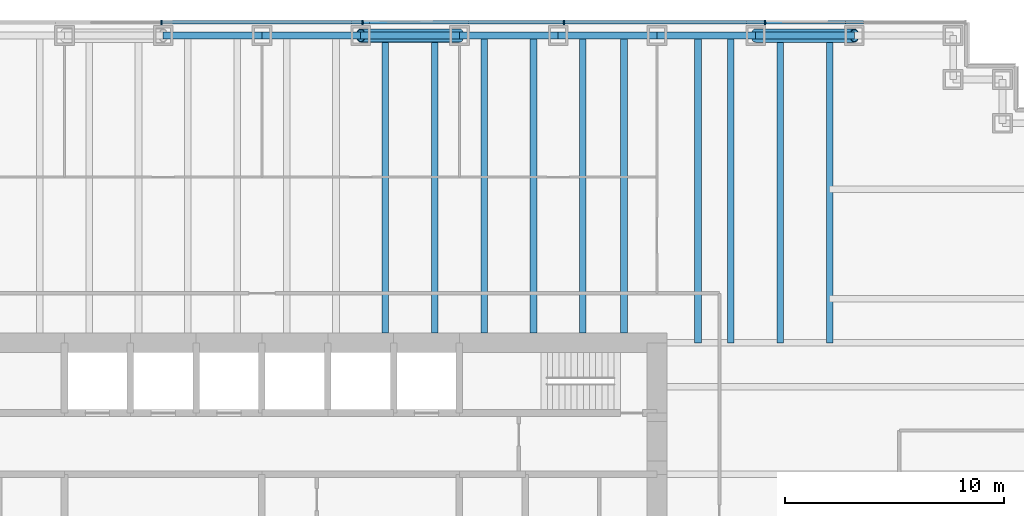
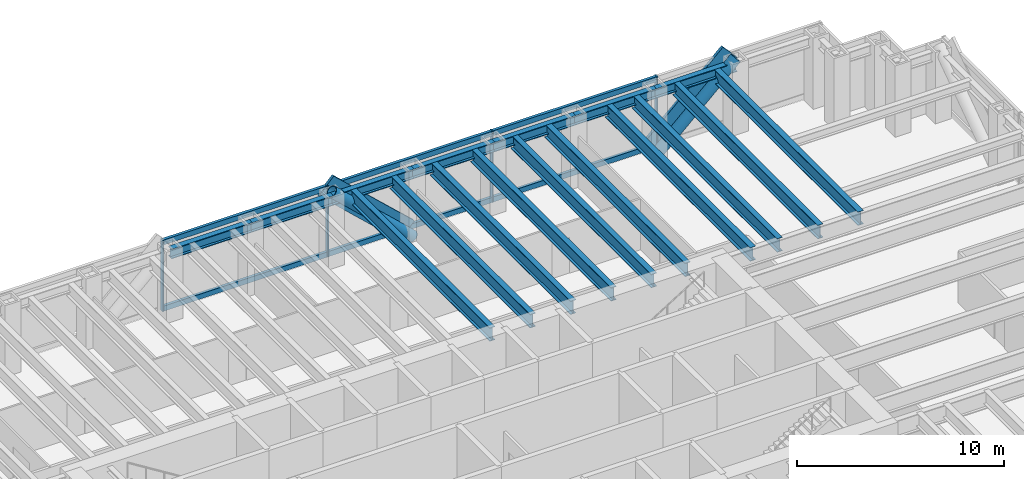
# One storey, part 7 of 15: 17 beams, 14 members, 1 element without a shape of its own.
"""IFC4 building model written with IfcOpenShell, lengths in metres."""

from ifc_helpers import new_model, si_unit, direction, frame, origin, origin_2d, place, context, subcontext, project, spatial, rectangle, hollow_circle, i_section, extrude, material, material_profile, profile_set, type_object, element, aggregate, save


model = new_model("IFC4")

# Units and contexts
model_context = context("Model", 3, precision=1e-05, world=origin(), true_north=direction((0.0, 1.0)))
body_context = subcontext(model_context, "Body", "Model", "MODEL_VIEW")
ifc_project = project(units=[si_unit("LENGTHUNIT", "METRE"), si_unit("AREAUNIT", "SQUARE_METRE"), si_unit("VOLUMEUNIT", "CUBIC_METRE"), si_unit("PLANEANGLEUNIT", "RADIAN"), si_unit("MASSUNIT", "GRAM", prefix="KILO")], contexts=[model_context])

# Site, building, storey
site_placement = place(None, origin())
site = spatial("IfcSite", under=ifc_project, at=site_placement, CompositionType="ELEMENT")
building_placement = place(site_placement, origin())
building = spatial("IfcBuilding", under=site, at=building_placement, Name="Rheinbord Bourse Tower", CompositionType="ELEMENT")
storey_placement = place(building_placement, frame((0.0, 0.0, 117.300048828125)))
storey = spatial("IfcBuildingStorey", under=building, at=storey_placement, Name="L25", CompositionType="ELEMENT", Elevation=117.300048828125)

# Curtain wall, members
ifc_material_1 = material(Name="Dark glass and black aluminium", Category="aluminium")
curtain_wall_type = type_object("IfcCurtainWallType", Name="CW2 DARK GLASS CURTAIN WALL", PredefinedType="USERDEFINED", material=ifc_material_1)
curtain_wall_placement = place(storey_placement, origin())
curtain_wall = element("IfcCurtainWall", 1, at=curtain_wall_placement, inside=storey, type_object=curtain_wall_type, Name="Curtain wall CW2 N L25", ObjectType="UNITISED CURTAIN WALL", PredefinedType="USERDEFINED")
ifc_material_2 = material(Name="Black anodised aluminium", Category="aluminium")
ifc_material_profile_1 = material_profile(ifc_material_2, rectangle(XDim=0.159912109375, YDim=1.2099609375, at=origin_2d()), Name="CW2 DIAGONAL MULLION 1210x160")
ifc_profile_set_1 = profile_set([ifc_material_profile_1], Name="Black anodised aluminium")
member_type_1 = type_object("IfcMemberType", Name="CW2 BLACK DIAGONAL MULLION", PredefinedType="USERDEFINED", material=ifc_profile_set_1)
member_1_placement = place(storey_placement, frame((58.5, 46.60009765625, 0.0), z_axis=(0.73105922506, 0.0, 0.682314010889), x_axis=(0.0, 1.0, 0.0)))
member_1 = element("IfcMember", 2, at=member_1_placement, type_object=member_type_1, Name="CW2 diagonal mullion b", ObjectType="DIAGONAL MULLION", PredefinedType="USERDEFINED", context=body_context, shape_type="SweptSolid", body=[
    extrude(rectangle(XDim=0.159912109375, YDim=1.2099609375, at=origin_2d()), origin(), (0.0, 0.0, 1.0), 6.155517578125),
])
member_2_placement = place(storey_placement, frame((45.0, 46.60009765625, 0.0), z_axis=(-0.73105922506, 0.0, 0.682314010889), x_axis=(0.0, -1.0, 0.0)))
member_2 = element("IfcMember", 3, at=member_2_placement, type_object=member_type_1, Name="CW2 diagonal mullion d", ObjectType="DIAGONAL MULLION", PredefinedType="USERDEFINED", context=body_context, shape_type="SweptSolid", body=[
    extrude(rectangle(XDim=0.159912109375, YDim=1.2099609375, at=origin_2d()), origin(), (0.0, 0.0, 1.0), 6.155517578125),
])
ifc_material_3 = material(Name="Black anodised aluminium", Category="aluminium")
ifc_material_profile_2 = material_profile(ifc_material_3, rectangle(XDim=0.219970703125, YDim=0.070068359375, at=origin_2d()), Name="CW2 MULLION 70x220")
ifc_profile_set_2 = profile_set([ifc_material_profile_2], Name="Black anodised aluminium")
member_type_2 = type_object("IfcMemberType", Name="CW2 BLACK MULLION", PredefinedType="MULLION", material=ifc_profile_set_2)
member_3_placement = place(storey_placement, frame((58.928466796875, 46.60009765625, 0.0), z_axis=(0.0, 0.0, 1.0), x_axis=(0.0, -1.0, 0.0)))
member_3 = element("IfcMember", 4, at=member_3_placement, type_object=member_type_2, Name="CW2 mullion 2", PredefinedType="MULLION", context=body_context, shape_type="SweptSolid", body=[
    extrude(rectangle(XDim=0.219970703125, YDim=0.070068359375, at=origin_2d()), origin(), (0.0, 0.0, 1.0), 4.199951171875),
])
member_4_placement = place(storey_placement, frame((49.757080078125, 46.60009765625, 0.0), z_axis=(0.0, 0.0, 1.0), x_axis=(0.0, -1.0, 0.0)))
member_4 = element("IfcMember", 5, at=member_4_placement, type_object=member_type_2, Name="CW2 mullion 3", PredefinedType="MULLION", context=body_context, shape_type="SweptSolid", body=[
    extrude(rectangle(XDim=0.219970703125, YDim=0.070068359375, at=origin_2d()), origin(), (0.0, 0.0, 1.0), 4.199951171875),
])
member_5_placement = place(storey_placement, frame((40.585693359375, 46.60009765625, 0.0), z_axis=(0.0, 0.0, 1.0), x_axis=(0.0, -1.0, 0.0)))
member_5 = element("IfcMember", 6, at=member_5_placement, type_object=member_type_2, Name="CW2 mullion 4", PredefinedType="MULLION", context=body_context, shape_type="SweptSolid", body=[
    extrude(rectangle(XDim=0.219970703125, YDim=0.070068359375, at=origin_2d()), origin(), (0.0, 0.0, 1.0), 4.199951171875),
])
member_6_placement = place(storey_placement, frame((31.414306640625, 46.60009765625, 0.0), z_axis=(0.0, 0.0, 1.0), x_axis=(0.0, -1.0, 0.0)))
member_6 = element("IfcMember", 7, at=member_6_placement, type_object=member_type_2, Name="CW2 mullion 5", PredefinedType="MULLION", context=body_context, shape_type="SweptSolid", body=[
    extrude(rectangle(XDim=0.219970703125, YDim=0.070068359375, at=origin_2d()), origin(), (0.0, 0.0, 1.0), 4.199951171875),
])
ifc_material_4 = material(Name="Black anodised aluminium", Category="aluminium")
ifc_material_profile_3 = material_profile(ifc_material_4, rectangle(XDim=0.159912109375, YDim=0.300048828125, at=origin_2d()), Name="CW2 TRANSOM 300x160")
ifc_profile_set_3 = profile_set([ifc_material_profile_3], Name="Black anodised aluminium")
member_type_3 = type_object("IfcMemberType", Name="CW2 BLACK TRANSOM", PredefinedType="USERDEFINED", material=ifc_profile_set_3)
member_7_placement = place(storey_placement, frame((58.8935546875, 46.60009765625, 0.14990234375), z_axis=(-1.0, 0.0, 0.0), x_axis=(0.0, -1.0, 0.0)))
member_7 = element("IfcMember", 8, at=member_7_placement, type_object=member_type_3, Name="CW2 transom 2.1", ObjectType="TRANSOM", PredefinedType="USERDEFINED", context=body_context, shape_type="SweptSolid", body=[
    extrude(rectangle(XDim=0.159912109375, YDim=0.300048828125, at=origin_2d()), origin(), (0.0, 0.0, 1.0), 9.101318359375),
])
member_8_placement = place(storey_placement, frame((58.8935546875, 46.60009765625, 4.050048828125), z_axis=(-1.0, 0.0, 0.0), x_axis=(0.0, -1.0, 0.0)))
member_8 = element("IfcMember", 9, at=member_8_placement, type_object=member_type_3, Name="CW2 transom 2.2", ObjectType="TRANSOM", PredefinedType="USERDEFINED", context=body_context, shape_type="SweptSolid", body=[
    extrude(rectangle(XDim=0.159912109375, YDim=0.300048828125, at=origin_2d()), origin(), (0.0, 0.0, 1.0), 9.101318359375),
])
member_9_placement = place(storey_placement, frame((49.72216796875, 46.60009765625, 0.14990234375), z_axis=(-1.0, 0.0, 0.0), x_axis=(0.0, -1.0, 0.0)))
member_9 = element("IfcMember", 10, at=member_9_placement, type_object=member_type_3, Name="CW2 transom 3.1", ObjectType="TRANSOM", PredefinedType="USERDEFINED", context=body_context, shape_type="SweptSolid", body=[
    extrude(rectangle(XDim=0.159912109375, YDim=0.300048828125, at=origin_2d()), origin(), (0.0, 0.0, 1.0), 9.1015625),
])
member_10_placement = place(storey_placement, frame((49.72216796875, 46.60009765625, 4.050048828125), z_axis=(-1.0, 0.0, 0.0), x_axis=(0.0, -1.0, 0.0)))
member_10 = element("IfcMember", 11, at=member_10_placement, type_object=member_type_3, Name="CW2 transom 3.2", ObjectType="TRANSOM", PredefinedType="USERDEFINED", context=body_context, shape_type="SweptSolid", body=[
    extrude(rectangle(XDim=0.159912109375, YDim=0.300048828125, at=origin_2d()), origin(), (0.0, 0.0, 1.0), 9.1015625),
])
member_11_placement = place(storey_placement, frame((40.55078125, 46.60009765625, 0.14990234375), z_axis=(-1.0, 0.0, 0.0), x_axis=(0.0, -1.0, 0.0)))
member_11 = element("IfcMember", 12, at=member_11_placement, type_object=member_type_3, Name="CW2 transom 4.1", ObjectType="TRANSOM", PredefinedType="USERDEFINED", context=body_context, shape_type="SweptSolid", body=[
    extrude(rectangle(XDim=0.159912109375, YDim=0.300048828125, at=origin_2d()), origin(), (0.0, 0.0, 1.0), 9.1015625),
])
member_12_placement = place(storey_placement, frame((40.55078125, 46.60009765625, 4.050048828125), z_axis=(-1.0, 0.0, 0.0), x_axis=(0.0, -1.0, 0.0)))
member_12 = element("IfcMember", 13, at=member_12_placement, type_object=member_type_3, Name="CW2 transom 4.2", ObjectType="TRANSOM", PredefinedType="USERDEFINED", context=body_context, shape_type="SweptSolid", body=[
    extrude(rectangle(XDim=0.159912109375, YDim=0.300048828125, at=origin_2d()), origin(), (0.0, 0.0, 1.0), 9.1015625),
])
aggregate(curtain_wall, [member_3, member_4, member_5, member_6, member_7, member_8, member_9, member_10, member_11, member_12, member_1, member_2])

# Beams
ifc_material_5 = material(Name="Steel S460", Category="steel")
ifc_material_profile_4 = material_profile(ifc_material_5, i_section(OverallWidth=0.300048828125, OverallDepth=0.800048828125, WebThickness=0.017578125, FlangeThickness=0.032958984375, at=origin_2d()), Name="HEB 800")
ifc_profile_set_4 = profile_set([ifc_material_profile_4], Name="Steel S460")
beam_type_1 = type_object("IfcBeamType", Name="FLOOR BEAM HEB 800", PredefinedType="BEAM", material=ifc_profile_set_4)
for number, where, z_axis, x_axis, name in (
    (14, (41.625, 46.0, 3.639892578125), (0.0, -1.0, 0.0), (1.0, 0.0, 0.0), "Floor beam N-40.5a L26"),
    (15, (43.875, 46.0, 3.639892578125), (0.0, -1.0, 0.0), (1.0, 0.0, 0.0), "Floor beam N-40.5b L26"),
    (16, (46.125, 46.0, 3.639892578125), (0.0, -1.0, 0.0), (1.0, 0.0, 0.0), "Floor beam N-45a L26"),
    (17, (48.375, 46.0, 3.639892578125), (0.0, -1.0, 0.0), (1.0, 0.0, 0.0), "Floor beam N-45b L26"),
    (18, (50.625, 46.0, 3.639892578125), (0.0, -1.0, 0.0), (1.0, 0.0, 0.0), "Floor beam N-49.5a L26"),
    (19, (52.5, 46.0, 3.639892578125), (0.0, -1.0, 0.0), (1.0, 0.0, 0.0), "Floor beam N-49.5b L26"),
):
    element("IfcBeam", number, at=place(storey_placement, frame(where, z_axis=z_axis, x_axis=x_axis)), inside=storey, type_object=beam_type_1, Name=name, PredefinedType="BEAM", context=body_context, shape_type="SweptSolid", body=[
        extrude(i_section(OverallWidth=0.300048828125, OverallDepth=0.800048828125, WebThickness=0.017578125, FlangeThickness=0.032958984375, at=origin_2d()), origin(), (0.0, 0.0, 1.0), 13.550048828125),
    ])
for number, where, z_axis, x_axis, name in (
    (20, (55.875, 46.0, 3.639892578125), (0.0, -1.0, 0.0), (1.0, 0.0, 0.0), "Floor beam N-54a L26"),
    (21, (57.375, 46.0, 3.639892578125), (0.0, -1.0, 0.0), (1.0, 0.0, 0.0), "Floor beam N-54b L26"),
    (22, (59.625, 46.0, 3.639892578125), (0.0, -1.0, 0.0), (1.0, 0.0, 0.0), "Floor beam N-58.5a L26"),
    (23, (61.875, 46.0, 3.639892578125), (0.0, -1.0, 0.0), (1.0, 0.0, 0.0), "Floor beam N-58.5b L26"),
):
    element("IfcBeam", number, at=place(storey_placement, frame(where, z_axis=z_axis, x_axis=x_axis)), inside=storey, type_object=beam_type_1, Name=name, PredefinedType="BEAM", context=body_context, shape_type="SweptSolid", body=[
        extrude(i_section(OverallWidth=0.300048828125, OverallDepth=0.800048828125, WebThickness=0.017578125, FlangeThickness=0.032958984375, at=origin_2d()), origin(), (0.0, 0.0, 1.0), 14.0),
    ])

# Members
ifc_material_6 = material(Name="Steel S460", Category="steel")
ifc_material_profile_5 = material_profile(ifc_material_6, hollow_circle(Radius=0.304931640625, WallThickness=0.0400390625, at=origin_2d()), Name="CHS 610x40")
ifc_profile_set_5 = profile_set([ifc_material_profile_5], Name="Steel S460")
member_type_4 = type_object("IfcMemberType", Name="MEGABRACE CHS 610x40", PredefinedType="BRACE", material=ifc_profile_set_5)
for number, where, z_axis, x_axis, name in (
    (24, (58.5, 46.0, 0.0), (0.73105922506, 0.0, 0.682314010889), (0.0, 1.0, 0.0), "Megabrace N face line b L25"),
    (25, (45.0, 46.0, 0.0), (-0.73105922506, 0.0, 0.682314010889), (0.0, -1.0, 0.0), "Megabrace N face line d L25"),
):
    element("IfcMember", number, at=place(storey_placement, frame(where, z_axis=z_axis, x_axis=x_axis)), inside=storey, type_object=member_type_4, Name=name, PredefinedType="BRACE", context=body_context, shape_type="SweptSolid", body=[
        extrude(hollow_circle(Radius=0.304931640625, WallThickness=0.0400390625, at=origin_2d()), origin(), (0.0, 0.0, 1.0), 6.155517578125),
    ])

# Beams
ifc_material_7 = material(Name="Steel S460", Category="steel")
ifc_material_profile_6 = material_profile(ifc_material_7, i_section(OverallWidth=0.305908203125, OverallDepth=0.572021484375, WebThickness=0.02099609375, FlangeThickness=0.0400390625, at=origin_2d()), Name="HEM 550")
ifc_profile_set_6 = profile_set([ifc_material_profile_6], Name="Steel S460")
beam_type_2 = type_object("IfcBeamType", Name="SPANDREL HEM 550", PredefinedType="SPANDREL", material=ifc_profile_set_6)
for number, where, z_axis, x_axis, name in (
    (26, (63.0, 46.0, 3.75390625), (-1.0, 0.0, 0.0), (0.0, -1.0, 0.0), "Spandrel N-63-N-58.5 under L26"),
    (27, (58.5, 46.0, 3.75390625), (-1.0, 0.0, 0.0), (0.0, -1.0, 0.0), "Spandrel N-58.5-N-54 under L26"),
    (28, (54.0, 46.0, 3.75390625), (-1.0, 0.0, 0.0), (0.0, -1.0, 0.0), "Spandrel N-54-N-49.5 under L26"),
    (29, (49.5, 46.0, 3.75390625), (-1.0, 0.0, 0.0), (0.0, -1.0, 0.0), "Spandrel N-49.5-N-45 under L26"),
    (30, (45.0, 46.0, 3.75390625), (-1.0, 0.0, 0.0), (0.0, -1.0, 0.0), "Spandrel N-45-N-40.5 under L26"),
    (31, (40.5, 46.0, 3.75390625), (-1.0, 0.0, 0.0), (0.0, -1.0, 0.0), "Spandrel N-40.5-N-36 under L26"),
    (32, (36.0, 46.0, 3.75390625), (-1.0, 0.0, 0.0), (0.0, -1.0, 0.0), "Spandrel N-36-N-31.5 under L26"),
):
    element("IfcBeam", number, at=place(storey_placement, frame(where, z_axis=z_axis, x_axis=x_axis)), inside=storey, type_object=beam_type_2, Name=name, PredefinedType="SPANDREL", context=body_context, shape_type="SweptSolid", body=[
        extrude(i_section(OverallWidth=0.305908203125, OverallDepth=0.572021484375, WebThickness=0.02099609375, FlangeThickness=0.0400390625, at=origin_2d()), origin(), (0.0, 0.0, 1.0), 4.5),
    ])

save(model, "model.ifc")
